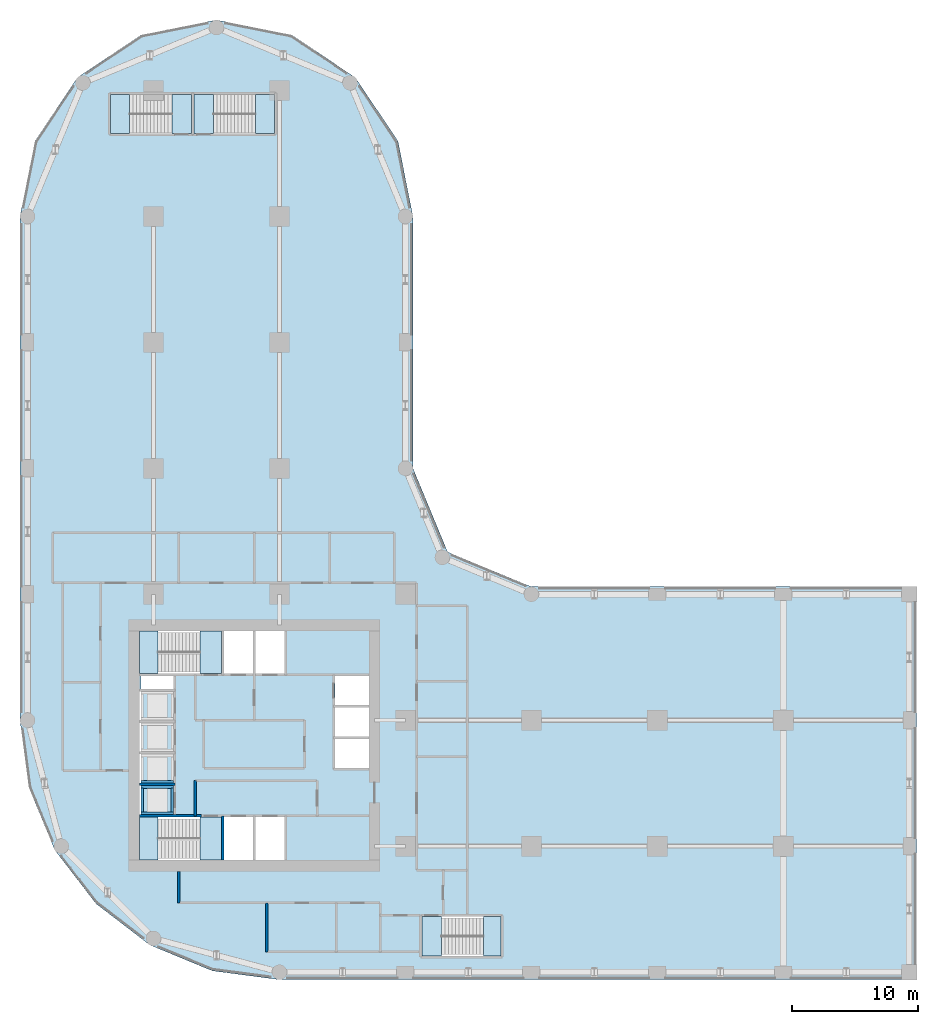
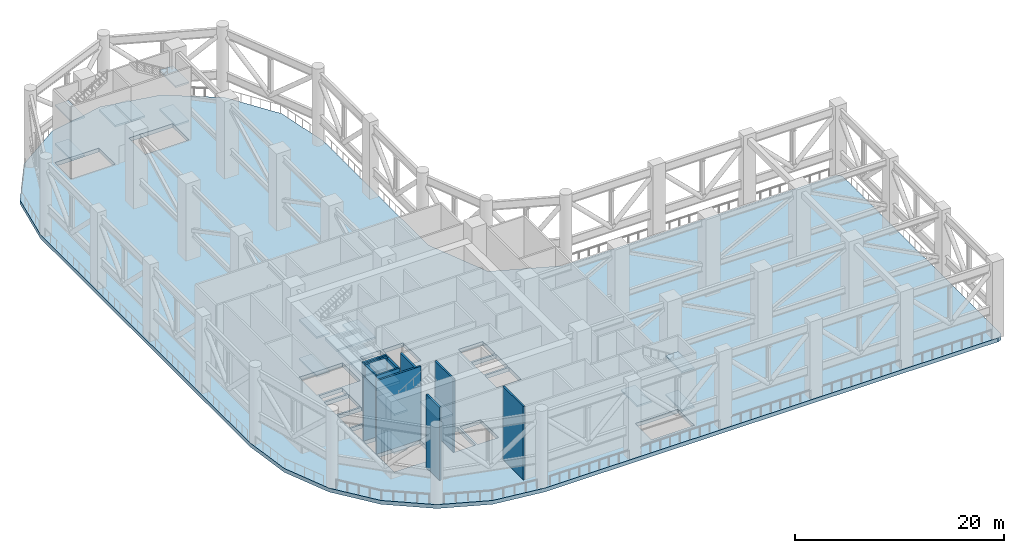
# One storey, part 7 of 14: 20 slabs, 11 walls, 5 elements without a shape of their own.
"""IFC4 building model written with IfcOpenShell, lengths in metres."""

from ifc_helpers import new_model, si_unit, direction, frame, frame_2d, origin, place, context, subcontext, project, spatial, polyline, rectangle, outline, extrude, material, layer, layer_set, type_object, element, aggregate, save


model = new_model("IFC4")

# Units and contexts
model_context = context("Model", 3, precision=1e-05, world=origin(), true_north=direction((0.0, 1.0)))
body_context = subcontext(model_context, "Body", "Model", "MODEL_VIEW")
ifc_project = project(units=[si_unit("LENGTHUNIT", "METRE"), si_unit("AREAUNIT", "SQUARE_METRE"), si_unit("VOLUMEUNIT", "CUBIC_METRE"), si_unit("PLANEANGLEUNIT", "RADIAN"), si_unit("MASSUNIT", "GRAM", prefix="KILO")], contexts=[model_context])

# Site, building, storey
site_placement = place(None, origin())
site = spatial("IfcSite", under=ifc_project, at=site_placement, CompositionType="ELEMENT")
building_placement = place(site_placement, origin())
building = spatial("IfcBuilding", under=site, at=building_placement, Name="Qaws Garden Tower", CompositionType="ELEMENT")
storey_placement = place(building_placement, frame((0.0, 0.0, 117.300048828125)))
storey = spatial("IfcBuildingStorey", under=building, at=storey_placement, Name="L29", CompositionType="ELEMENT", Elevation=117.300048828125)

# Slabs
ifc_material_1 = material(Name="Concrete C45", Category="concrete")
ifc_layer_1 = layer(ifc_material_1, 0.449951171875)
ifc_layer_set_1 = layer_set([ifc_layer_1], Name="Concrete C45")
slab_type_1 = type_object("IfcSlabType", Name="Floor slab 450 C45", PredefinedType="FLOOR", material=ifc_layer_set_1)
slab_1_placement = place(storey_placement, frame((0.0, 0.0, -0.449951171875)))
element("IfcSlab", 1, at=slab_1_placement, inside=storey, type_object=slab_type_1, Name="Floor slab L29", PredefinedType="FLOOR", context=body_context, shape_type="SweptSolid", body=[
    extrude(outline(polyline([(0.101806640625, 14.668212890625), (-0.60009765625, 20.0), (-0.60009765625, 30.60009765625), (-0.60009765625, 60.0), (-0.60009765625, 60.0), (0.58740234375, 65.969970703125), (3.968994140625, 71.031005859375), (9.030029296875, 74.41259765625), (15.0, 75.60009765625), (20.969970703125, 74.41259765625), (26.031005859375, 71.031005859375), (29.41259765625, 65.969970703125), (30.60009765625, 60.0), (30.60009765625, 40.0), (33.353271484375, 33.353271484375), (40.0, 30.60009765625), (70.0, 30.60009765625), (70.42431640625, 30.42431640625), (70.60009765625, 30.0), (70.60009765625, 0.0), (70.42431640625, -0.42431640625), (70.0, -0.60009765625), (30.60009765625, -0.60009765625), (20.0, -0.60009765625), (14.668212890625, 0.101806640625), (9.699951171875, 2.159912109375), (5.43359375, 5.43359375), (2.159912109375, 9.699951171875), (0.101806640625, 14.668212890625)]), holes=[polyline([(13.699462890625, 12.300048828125), (8.89990234375, 12.300048828125), (8.89990234375, 8.89990234375), (13.699462890625, 8.89990234375), (13.699462890625, 12.300048828125)]), polyline([(17.89990234375, 12.300048828125), (15.60009765625, 12.300048828125), (15.60009765625, 8.89990234375), (17.89990234375, 8.89990234375), (17.89990234375, 12.300048828125)]), polyline([(11.60009765625, 14.800048828125), (8.89990234375, 14.800048828125), (8.89990234375, 12.5), (11.60009765625, 12.5), (11.60009765625, 14.800048828125)]), polyline([(11.60009765625, 17.300048828125), (8.89990234375, 17.300048828125), (8.89990234375, 15.0), (11.60009765625, 15.0), (11.60009765625, 17.300048828125)]), polyline([(11.60009765625, 19.800048828125), (8.89990234375, 19.800048828125), (8.89990234375, 17.5), (11.60009765625, 17.5), (11.60009765625, 19.800048828125)]), polyline([(11.60009765625, 22.300048828125), (8.89990234375, 22.300048828125), (8.89990234375, 20.0), (11.60009765625, 20.0), (11.60009765625, 22.300048828125)]), polyline([(11.60009765625, 23.5), (9.0, 23.5), (9.0, 22.5), (11.60009765625, 22.5), (11.60009765625, 23.5)]), polyline([(13.699462890625, 27.10009765625), (8.89990234375, 27.10009765625), (8.89990234375, 23.699951171875), (13.699462890625, 23.699951171875), (13.699462890625, 27.10009765625)]), polyline([(11.449462890625, 69.699951171875), (6.60009765625, 69.699951171875), (6.60009765625, 66.60009765625), (11.449462890625, 66.60009765625), (11.449462890625, 69.699951171875)]), polyline([(37.60009765625, 4.39990234375), (32.8505859375, 4.39990234375), (32.8505859375, 1.300048828125), (37.60009765625, 1.300048828125), (37.60009765625, 4.39990234375)]), polyline([(20.39990234375, 12.300048828125), (18.10009765625, 12.300048828125), (18.10009765625, 8.89990234375), (20.39990234375, 8.89990234375), (20.39990234375, 12.300048828125)]), polyline([(27.10009765625, 18.5), (24.39990234375, 18.5), (24.39990234375, 16.199951171875), (27.10009765625, 16.199951171875), (27.10009765625, 18.5)]), polyline([(27.10009765625, 21.0), (24.39990234375, 21.0), (24.39990234375, 18.699951171875), (27.10009765625, 18.699951171875), (27.10009765625, 21.0)]), polyline([(27.10009765625, 23.5), (24.39990234375, 23.5), (24.39990234375, 21.199951171875), (27.10009765625, 21.199951171875), (27.10009765625, 23.5)]), polyline([(17.89990234375, 27.10009765625), (15.60009765625, 27.10009765625), (15.60009765625, 23.699951171875), (17.89990234375, 23.699951171875), (17.89990234375, 27.10009765625)]), polyline([(20.39990234375, 23.699951171875), (20.39990234375, 27.10009765625), (18.10009765625, 27.10009765625), (18.10009765625, 23.699951171875), (20.39990234375, 23.699951171875)]), polyline([(19.60009765625, 66.60009765625), (19.60009765625, 69.699951171875), (14.75048828125, 69.699951171875), (14.75048828125, 66.60009765625), (19.60009765625, 66.60009765625)])]), origin(), (0.0, 0.0, 1.0), 0.449951171875),
])
ifc_material_2 = material(Name="Concrete C60", Category="concrete")
ifc_layer_2 = layer(ifc_material_2, 0.300048828125)
ifc_layer_set_2 = layer_set([ifc_layer_2], Name="Concrete C60")
slab_type_2 = type_object("IfcSlabType", Name="Lift pit floor 300", PredefinedType="USERDEFINED", material=ifc_layer_set_2)
placement_1 = place(storey_placement, frame((0.0, 0.0, 7.199951171875)))
element("IfcSlab", 2, at=placement_1, inside=storey, type_object=slab_type_2, Name="Lift W1 pit floor", ObjectType="Lift pit floor", PredefinedType="USERDEFINED", context=body_context, shape_type="SweptSolid", body=[
    extrude(outline(polyline([(9.0, 12.5), (11.60009765625, 12.5), (11.60009765625, 14.800048828125), (9.0, 14.800048828125), (9.0, 12.5)])), origin(), (0.0, 0.0, 1.0), 0.300048828125),
])
element("IfcSlab", 3, at=placement_1, inside=storey, type_object=slab_type_2, Name="Lift W2 pit floor", ObjectType="Lift pit floor", PredefinedType="USERDEFINED", context=body_context, shape_type="SweptSolid", body=[
    extrude(outline(polyline([(9.0, 15.0), (11.60009765625, 15.0), (11.60009765625, 17.300048828125), (9.0, 17.300048828125), (9.0, 15.0)])), origin(), (0.0, 0.0, 1.0), 0.300048828125),
])
element("IfcSlab", 4, at=placement_1, inside=storey, type_object=slab_type_2, Name="Lift W3 pit floor", ObjectType="Lift pit floor", PredefinedType="USERDEFINED", context=body_context, shape_type="SweptSolid", body=[
    extrude(outline(polyline([(9.0, 17.5), (11.60009765625, 17.5), (11.60009765625, 19.800048828125), (9.0, 19.800048828125), (9.0, 17.5)])), origin(), (0.0, 0.0, 1.0), 0.300048828125),
])
element("IfcSlab", 5, at=placement_1, inside=storey, type_object=slab_type_2, Name="Lift W4 pit floor", ObjectType="Lift pit floor", PredefinedType="USERDEFINED", context=body_context, shape_type="SweptSolid", body=[
    extrude(outline(polyline([(9.0, 20.0), (11.60009765625, 20.0), (11.60009765625, 22.300048828125), (9.0, 22.300048828125), (9.0, 20.0)])), origin(), (0.0, 0.0, 1.0), 0.300048828125),
])

# Stair, slabs
ifc_material_3 = material(Name="Concrete C40", Category="concrete")
stair_type_1 = type_object("IfcStairType", Name="Exit stair 1500", PredefinedType="HALF_TURN_STAIR", material=ifc_material_3)
placement_2 = place(storey_placement, origin())
stair_1 = element("IfcStair", 6, at=placement_2, inside=storey, type_object=stair_type_1, Name="Stair 1", PredefinedType="HALF_TURN_STAIR")
ifc_material_4 = material(Name="Concrete C40", Category="concrete")
ifc_layer_3 = layer(ifc_material_4, 0.199951171875)
ifc_layer_set_3 = layer_set([ifc_layer_3], Name="Concrete C40")
slab_type_3 = type_object("IfcSlabType", Name="Stair landing 200", PredefinedType="LANDING", material=ifc_layer_set_3)
placement_3 = place(storey_placement, frame((0.0, 0.0, 2.050048828125)))
slab_6 = element("IfcSlab", 7, at=placement_3, type_object=slab_type_3, Name="ST1 landing 1", PredefinedType="LANDING", context=body_context, shape_type="SweptSolid", body=[
    extrude(outline(polyline([(8.89990234375, 8.89990234375), (10.340087890625, 8.89990234375), (10.340087890625, 12.300048828125), (8.89990234375, 12.300048828125), (8.89990234375, 8.89990234375)])), origin(), (0.0, 0.0, 1.0), 0.199951171875),
])
placement_4 = place(storey_placement, frame((0.0, 0.0, 4.300048828125)))
slab_7 = element("IfcSlab", 8, at=placement_4, type_object=slab_type_3, Name="ST1 landing 2", PredefinedType="LANDING", context=body_context, shape_type="SweptSolid", body=[
    extrude(outline(polyline([(13.699951171875, 8.89990234375), (15.39990234375, 8.89990234375), (15.39990234375, 12.300048828125), (13.699951171875, 12.300048828125), (13.699951171875, 8.89990234375)])), origin(), (0.0, 0.0, 1.0), 0.199951171875),
])
placement_5 = place(storey_placement, frame((0.0, 0.0, 6.550048828125)))
slab_8 = element("IfcSlab", 9, at=placement_5, type_object=slab_type_3, Name="ST1 landing 3", PredefinedType="LANDING", context=body_context, shape_type="SweptSolid", body=[
    extrude(outline(polyline([(8.89990234375, 8.89990234375), (10.340087890625, 8.89990234375), (10.340087890625, 12.300048828125), (8.89990234375, 12.300048828125), (8.89990234375, 8.89990234375)])), origin(), (0.0, 0.0, 1.0), 0.199951171875),
])
aggregate(stair_1, [slab_6, slab_7, slab_8])

stair_2 = element("IfcStair", 10, at=placement_2, inside=storey, type_object=stair_type_1, Name="Stair 4", PredefinedType="HALF_TURN_STAIR")
slab_9 = element("IfcSlab", 11, at=placement_3, type_object=slab_type_3, Name="ST4 landing 1", PredefinedType="LANDING", context=body_context, shape_type="SweptSolid", body=[
    extrude(outline(polyline([(8.89990234375, 23.699951171875), (10.340087890625, 23.699951171875), (10.340087890625, 27.10009765625), (8.89990234375, 27.10009765625), (8.89990234375, 23.699951171875)])), origin(), (0.0, 0.0, 1.0), 0.199951171875),
])
slab_10 = element("IfcSlab", 12, at=placement_4, type_object=slab_type_3, Name="ST4 landing 2", PredefinedType="LANDING", context=body_context, shape_type="SweptSolid", body=[
    extrude(outline(polyline([(13.699951171875, 23.699951171875), (15.39990234375, 23.699951171875), (15.39990234375, 27.10009765625), (13.699951171875, 27.10009765625), (13.699951171875, 23.699951171875)])), origin(), (0.0, 0.0, 1.0), 0.199951171875),
])
slab_11 = element("IfcSlab", 13, at=placement_5, type_object=slab_type_3, Name="ST4 landing 3", PredefinedType="LANDING", context=body_context, shape_type="SweptSolid", body=[
    extrude(outline(polyline([(8.89990234375, 23.699951171875), (10.340087890625, 23.699951171875), (10.340087890625, 27.10009765625), (8.89990234375, 27.10009765625), (8.89990234375, 23.699951171875)])), origin(), (0.0, 0.0, 1.0), 0.199951171875),
])
aggregate(stair_2, [slab_9, slab_10, slab_11])

ifc_material_5 = material(Name="Concrete C40", Category="concrete")
stair_type_2 = type_object("IfcStairType", Name="Exit stair 1350", PredefinedType="HALF_TURN_STAIR", material=ifc_material_5)
stair_3 = element("IfcStair", 14, at=placement_2, inside=storey, type_object=stair_type_2, Name="Stair 5", PredefinedType="HALF_TURN_STAIR")
slab_12 = element("IfcSlab", 15, at=placement_3, type_object=slab_type_3, Name="ST5 landing 1", PredefinedType="LANDING", context=body_context, shape_type="SweptSolid", body=[
    extrude(outline(polyline([(36.2099609375, 1.300048828125), (37.60009765625, 1.300048828125), (37.60009765625, 4.39990234375), (36.2099609375, 4.39990234375), (36.2099609375, 1.300048828125)])), origin(), (0.0, 0.0, 1.0), 0.199951171875),
])
slab_13 = element("IfcSlab", 16, at=placement_4, type_object=slab_type_3, Name="ST5 landing 2", PredefinedType="LANDING", context=body_context, shape_type="SweptSolid", body=[
    extrude(outline(polyline([(31.300048828125, 1.300048828125), (32.85009765625, 1.300048828125), (32.85009765625, 4.39990234375), (31.300048828125, 4.39990234375), (31.300048828125, 1.300048828125)])), origin(), (0.0, 0.0, 1.0), 0.199951171875),
])
slab_14 = element("IfcSlab", 17, at=placement_5, type_object=slab_type_3, Name="ST5 landing 3", PredefinedType="LANDING", context=body_context, shape_type="SweptSolid", body=[
    extrude(outline(polyline([(36.2099609375, 1.300048828125), (37.60009765625, 1.300048828125), (37.60009765625, 4.39990234375), (36.2099609375, 4.39990234375), (36.2099609375, 1.300048828125)])), origin(), (0.0, 0.0, 1.0), 0.199951171875),
])
aggregate(stair_3, [slab_12, slab_13, slab_14])

stair_4 = element("IfcStair", 18, at=placement_2, inside=storey, type_object=stair_type_2, Name="Stair 6", PredefinedType="HALF_TURN_STAIR")
slab_15 = element("IfcSlab", 19, at=placement_3, type_object=slab_type_3, Name="ST6 landing 1", PredefinedType="LANDING", context=body_context, shape_type="SweptSolid", body=[
    extrude(outline(polyline([(6.60009765625, 66.60009765625), (8.090087890625, 66.60009765625), (8.090087890625, 69.699951171875), (6.60009765625, 69.699951171875), (6.60009765625, 66.60009765625)])), origin(), (0.0, 0.0, 1.0), 0.199951171875),
])
slab_16 = element("IfcSlab", 20, at=placement_4, type_object=slab_type_3, Name="ST6 landing 2", PredefinedType="LANDING", context=body_context, shape_type="SweptSolid", body=[
    extrude(outline(polyline([(11.449951171875, 66.60009765625), (13.0, 66.60009765625), (13.0, 69.699951171875), (11.449951171875, 69.699951171875), (11.449951171875, 66.60009765625)])), origin(), (0.0, 0.0, 1.0), 0.199951171875),
])
slab_17 = element("IfcSlab", 21, at=placement_5, type_object=slab_type_3, Name="ST6 landing 3", PredefinedType="LANDING", context=body_context, shape_type="SweptSolid", body=[
    extrude(outline(polyline([(6.60009765625, 66.60009765625), (8.090087890625, 66.60009765625), (8.090087890625, 69.699951171875), (6.60009765625, 69.699951171875), (6.60009765625, 66.60009765625)])), origin(), (0.0, 0.0, 1.0), 0.199951171875),
])
aggregate(stair_4, [slab_15, slab_16, slab_17])

stair_5 = element("IfcStair", 22, at=placement_2, inside=storey, type_object=stair_type_2, Name="Stair 7", PredefinedType="HALF_TURN_STAIR")
slab_18 = element("IfcSlab", 23, at=placement_3, type_object=slab_type_3, Name="ST7 landing 1", PredefinedType="LANDING", context=body_context, shape_type="SweptSolid", body=[
    extrude(outline(polyline([(18.110107421875, 66.60009765625), (19.60009765625, 66.60009765625), (19.60009765625, 69.699951171875), (18.110107421875, 69.699951171875), (18.110107421875, 66.60009765625)])), origin(), (0.0, 0.0, 1.0), 0.199951171875),
])
slab_19 = element("IfcSlab", 24, at=placement_4, type_object=slab_type_3, Name="ST7 landing 2", PredefinedType="LANDING", context=body_context, shape_type="SweptSolid", body=[
    extrude(outline(polyline([(13.199951171875, 66.60009765625), (14.75, 66.60009765625), (14.75, 69.699951171875), (13.199951171875, 69.699951171875), (13.199951171875, 66.60009765625)])), origin(), (0.0, 0.0, 1.0), 0.199951171875),
])
slab_20 = element("IfcSlab", 25, at=placement_5, type_object=slab_type_3, Name="ST7 landing 3", PredefinedType="LANDING", context=body_context, shape_type="SweptSolid", body=[
    extrude(outline(polyline([(18.110107421875, 66.60009765625), (19.60009765625, 66.60009765625), (19.60009765625, 69.699951171875), (18.110107421875, 69.699951171875), (18.110107421875, 66.60009765625)])), origin(), (0.0, 0.0, 1.0), 0.199951171875),
])
aggregate(stair_5, [slab_18, slab_19, slab_20])

# Walls
ifc_material_6 = material(Name="Concrete C80", Category="concrete")
ifc_layer_4 = layer(ifc_material_6, 0.199951171875)
ifc_layer_set_4 = layer_set([ifc_layer_4], Name="Concrete C80")
wall_type_1 = type_object("IfcWallType", Name="Core shaft wall 200 C80", PredefinedType="SHEAR", material=ifc_layer_set_4)
wall_1_placement = place(storey_placement, frame((8.89990234375, 12.39990234375, 0.0), z_axis=(0.0, 0.0, 1.0), x_axis=(1.0, 0.0, 0.0)))
element("IfcWall", 26, at=wall_1_placement, inside=storey, type_object=wall_type_1, Name="Shaft wall", PredefinedType="SHEAR", context=body_context, shape_type="SweptSolid", body=[
    extrude(rectangle(XDim=4.900146484375, YDim=0.199951171875, at=frame_2d((2.4501953125, 0.0))), origin(), (0.0, 0.0, 1.0), 8.550048828125),
])
for number, where, z_axis, x_axis, name in (
    (27, (8.89990234375, 14.89990234375, 0.0), (0.0, 0.0, 1.0), (1.0, 0.0, 0.0), "Shaft wall"),
    (28, (13.300048828125, 12.39990234375, 0.0), (0.0, 0.0, 1.0), (0.0, 1.0, 0.0), "Shaft wall"),
):
    element("IfcWall", number, at=place(storey_placement, frame(where, z_axis=z_axis, x_axis=x_axis)), inside=storey, type_object=wall_type_1, Name=name, PredefinedType="SHEAR", context=body_context, shape_type="SweptSolid", body=[
        extrude(rectangle(XDim=2.800048828125, YDim=0.199951171875, at=frame_2d((1.39990234375, 0.0))), origin(), (0.0, 0.0, 1.0), 8.550048828125),
    ])
wall_2_placement = place(storey_placement, frame((15.5, 8.89990234375, 0.0), z_axis=(0.0, 0.0, 1.0), x_axis=(0.0, 1.0, 0.0)))
element("IfcWall", 29, at=wall_2_placement, inside=storey, type_object=wall_type_1, Name="Shaft wall", PredefinedType="SHEAR", context=body_context, shape_type="SweptSolid", body=[
    extrude(rectangle(XDim=3.5, YDim=0.199951171875, at=frame_2d((1.75, 0.0))), origin(), (0.0, 0.0, 1.0), 8.550048828125),
])
ifc_material_7 = material(Name="Concrete C60", Category="concrete")
ifc_layer_5 = layer(ifc_material_7, 0.199951171875)
ifc_layer_set_5 = layer_set([ifc_layer_5], Name="Concrete C60")
wall_type_2 = type_object("IfcWallType", Name="Lift pit wall 200", PredefinedType="SOLIDWALL", material=ifc_layer_set_5)
for number, where, z_axis, x_axis, name in (
    (30, (9.0, 12.60009765625, 7.5), (0.0, 0.0, 1.0), (1.0, 0.0, 0.0), "Lift W1 pit wall"),
    (31, (9.0, 14.699951171875, 7.5), (0.0, 0.0, 1.0), (1.0, 0.0, 0.0), "Lift W1 pit wall"),
):
    element("IfcWall", number, at=place(storey_placement, frame(where, z_axis=z_axis, x_axis=x_axis)), inside=storey, type_object=wall_type_2, Name=name, PredefinedType="SOLIDWALL", context=body_context, shape_type="SweptSolid", body=[
        extrude(rectangle(XDim=2.60009765625, YDim=0.199951171875, at=frame_2d((1.300048828125, 0.0))), origin(), (0.0, 0.0, 1.0), 1.5),
    ])
for number, where, z_axis, x_axis, name in (
    (32, (9.10009765625, 12.699951171875, 7.5), (0.0, 0.0, 1.0), (0.0, 1.0, 0.0), "Lift W1 pit wall"),
    (33, (11.5, 12.699951171875, 7.5), (0.0, 0.0, 1.0), (0.0, 1.0, 0.0), "Lift W1 pit wall"),
):
    element("IfcWall", number, at=place(storey_placement, frame(where, z_axis=z_axis, x_axis=x_axis)), inside=storey, type_object=wall_type_2, Name=name, PredefinedType="SOLIDWALL", context=body_context, shape_type="SweptSolid", body=[
        extrude(rectangle(XDim=1.900146484375, YDim=0.199951171875, at=frame_2d((0.9501953125, 0.0))), origin(), (0.0, 0.0, 1.0), 1.5),
    ])
wall_3_placement = place(storey_placement, frame((9.0, 15.10009765625, 7.5), z_axis=(0.0, 0.0, 1.0), x_axis=(1.0, 0.0, 0.0)))
element("IfcWall", 34, at=wall_3_placement, inside=storey, type_object=wall_type_2, Name="Lift W2 pit wall", PredefinedType="SOLIDWALL", context=body_context, shape_type="SweptSolid", body=[
    extrude(rectangle(XDim=2.60009765625, YDim=0.199951171875, at=frame_2d((1.300048828125, 0.0))), origin(), (0.0, 0.0, 1.0), 1.5),
])
ifc_material_8 = material(Name="Blockwork", Category="masonry")
ifc_layer_6 = layer(ifc_material_8, 0.199951171875)
ifc_layer_set_6 = layer_set([ifc_layer_6], Name="Blockwork")
wall_type_3 = type_object("IfcWallType", Name="Plant compartment wall 200", PredefinedType="PARTITIONING", material=ifc_layer_set_6)
wall_4_placement = place(storey_placement, frame((12.0, 5.5, 0.0), z_axis=(0.0, 0.0, 1.0), x_axis=(0.0, 1.0, 0.0)))
element("IfcWall", 35, at=wall_4_placement, inside=storey, type_object=wall_type_3, Name="Plant zone wall", PredefinedType="PARTITIONING", context=body_context, shape_type="SweptSolid", body=[
    extrude(rectangle(XDim=2.5, YDim=0.199951171875, at=frame_2d((1.25, 0.0))), origin(), (0.0, 0.0, 1.0), 8.550048828125),
])
wall_5_placement = place(storey_placement, frame((19.0, 1.60009765625, 0.0), z_axis=(0.0, 0.0, 1.0), x_axis=(0.0, 1.0, 0.0)))
element("IfcWall", 36, at=wall_5_placement, inside=storey, type_object=wall_type_3, Name="Plant zone wall", PredefinedType="PARTITIONING", context=body_context, shape_type="SweptSolid", body=[
    extrude(rectangle(XDim=3.89990234375, YDim=0.199951171875, at=frame_2d((1.949951171875, 0.0))), origin(), (0.0, 0.0, 1.0), 8.550048828125),
])

save(model, "model.ifc")
